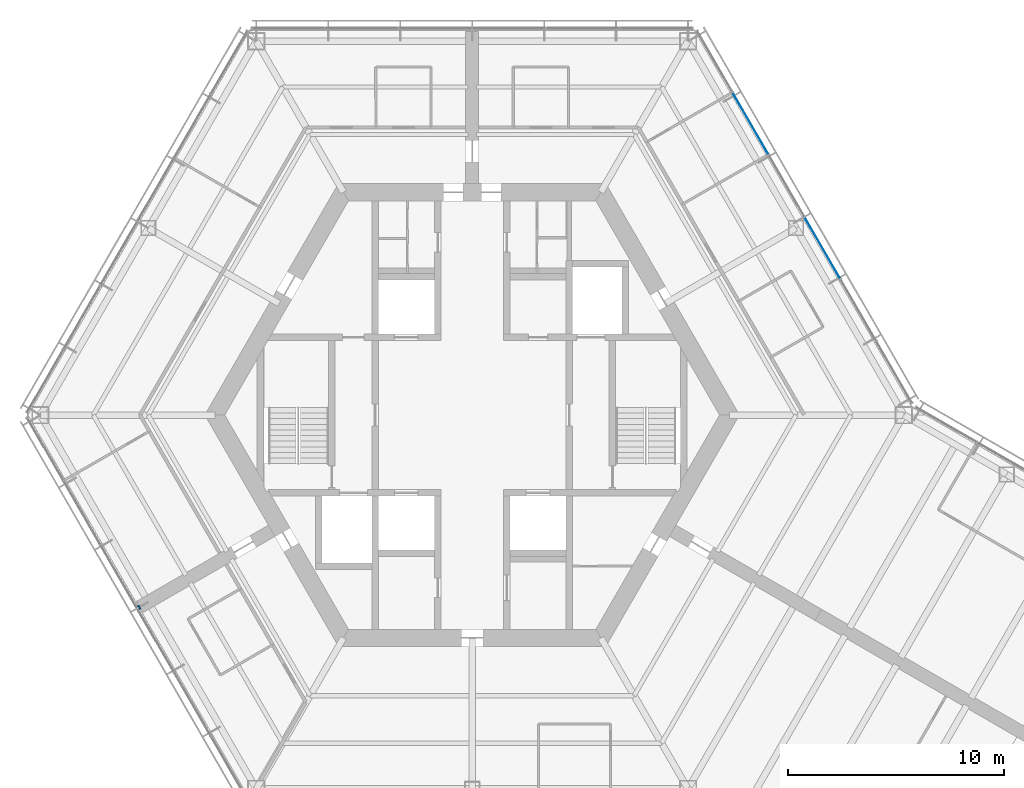
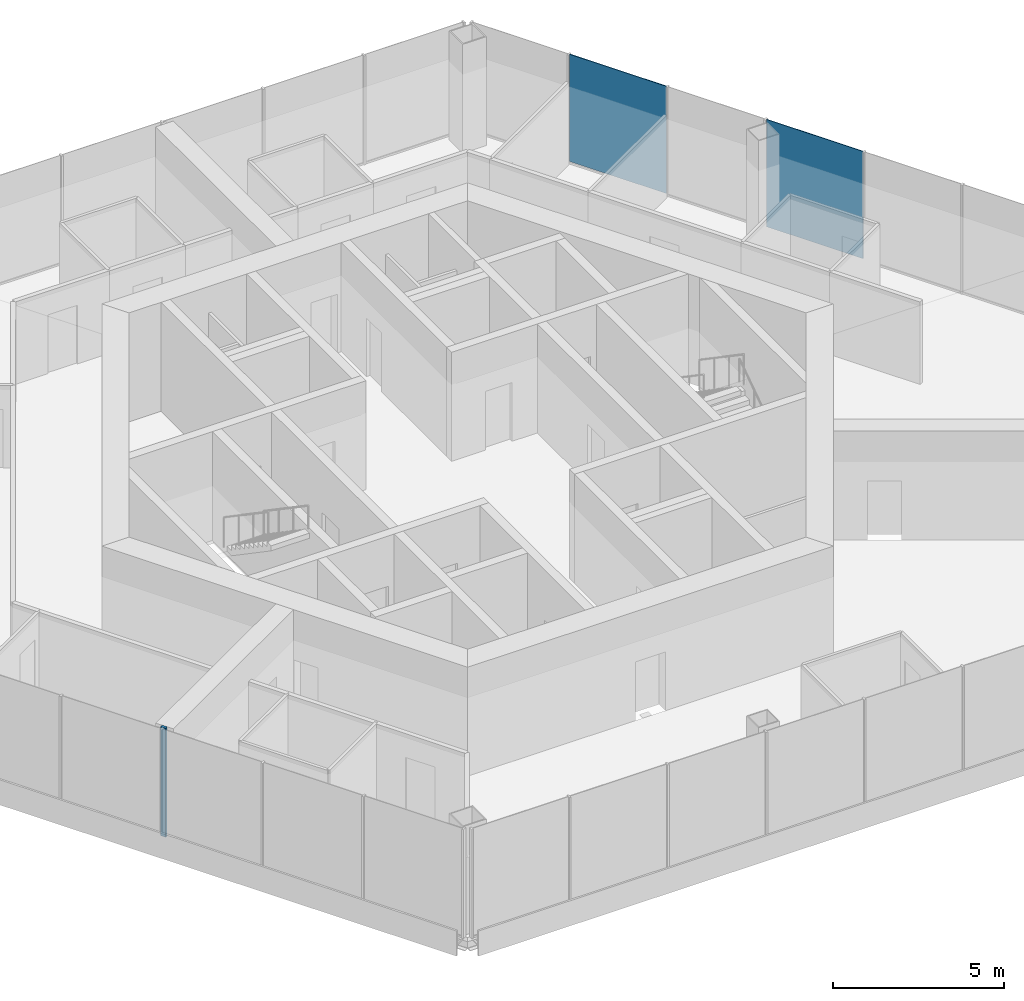
# One storey, part 9 of 15: 2 plates, 1 wall, 1 element without a shape of its own.
"""IFC4 building model written with IfcOpenShell, lengths in metres."""

from ifc_helpers import new_model, si_unit, direction, frame, frame_2d, origin, origin_2d, place, context, subcontext, project, spatial, rectangle, extrude, material, layer, layer_set, type_object, element, aggregate, save


model = new_model("IFC4")

# Units and contexts
model_context = context("Model", 3, precision=1e-05, world=origin(), true_north=direction((0.0, 1.0)))
body_context = subcontext(model_context, "Body", "Model", "MODEL_VIEW")
ifc_project = project(units=[si_unit("LENGTHUNIT", "METRE"), si_unit("AREAUNIT", "SQUARE_METRE"), si_unit("VOLUMEUNIT", "CUBIC_METRE"), si_unit("PLANEANGLEUNIT", "RADIAN"), si_unit("MASSUNIT", "GRAM", prefix="KILO")], contexts=[model_context])

# Site, building, storey
site_placement = place(None, origin())
site = spatial("IfcSite", under=ifc_project, at=site_placement, CompositionType="ELEMENT")
building_placement = place(site_placement, origin())
building = spatial("IfcBuilding", under=site, at=building_placement, Name="Kasaneha Research Tower", CompositionType="ELEMENT")
storey_placement = place(building_placement, frame((0.0, 0.0, 244.0)))
storey = spatial("IfcBuildingStorey", under=building, at=storey_placement, Name="L61", CompositionType="ELEMENT", Elevation=244.0)

# Curtain wall, plates
ifc_material_1 = material(Name="Glass and aluminium", Category="aluminium")
curtain_wall_type = type_object("IfcCurtainWallType", Name="High-rise office curtain wall", PredefinedType="USERDEFINED", material=ifc_material_1)
curtain_wall_placement = place(storey_placement, origin())
curtain_wall = element("IfcCurtainWall", 1, at=curtain_wall_placement, inside=storey, type_object=curtain_wall_type, Name="CW-O3 L61 run 01a", ObjectType="UNITISED CURTAIN WALL", PredefinedType="USERDEFINED")
ifc_material_2 = material(Name="Laminated double glazing", Category="glass")
ifc_layer_1 = layer(ifc_material_2, 0.02392578125)
ifc_layer_set_1 = layer_set([ifc_layer_1], Name="CW-O3 glazed panel")
plate_type = type_object("IfcPlateType", Name="CW-O3 glazed panel", PredefinedType="CURTAIN_PANEL", material=ifc_layer_set_1)
plate_1_placement = place(storey_placement, frame((16.2255859375, 7.737548828125, 0.06005859375), z_axis=(0.0, 0.0, 1.0), x_axis=(-0.499999979232, 0.866025415775, 0.0)))
plate_1 = element("IfcPlate", 2, at=plate_1_placement, type_object=plate_type, Name="CW-O3 panel 3", PredefinedType="CURTAIN_PANEL", context=body_context, shape_type="SweptSolid", body=[
    extrude(rectangle(XDim=3.27099609375, YDim=0.02392578125, at=origin_2d()), origin(), (0.0, 0.0, 1.0), 3.840087890625),
])
plate_2_placement = place(storey_placement, frame((12.89453125, 13.5068359375, 0.06005859375), z_axis=(0.0, 0.0, 1.0), x_axis=(-0.499999979232, 0.866025415775, 0.0)))
plate_2 = element("IfcPlate", 3, at=plate_2_placement, type_object=plate_type, Name="CW-O3 panel 5", PredefinedType="CURTAIN_PANEL", context=body_context, shape_type="SweptSolid", body=[
    extrude(rectangle(XDim=3.27099609375, YDim=0.02392578125, at=origin_2d()), origin(), (0.0, 0.0, 1.0), 3.840087890625),
])
aggregate(curtain_wall, [plate_1, plate_2])

# Wall
ifc_material_3 = material(Name="Gypsum board on steel studs, two layers each side", Category="steel")
ifc_layer_2 = layer(ifc_material_3, 0.175048828125)
ifc_layer_set_2 = layer_set([ifc_layer_2], Name="Tenancy fire partition 175")
wall_type = type_object("IfcWallType", Name="Tenancy fire partition 175", PredefinedType="PARTITIONING", material=ifc_layer_set_2)
wall_placement = place(storey_placement, frame((-15.3896484375, -8.88525390625, 0.0), z_axis=(0.0, 0.0, 1.0), x_axis=(-0.866472036435, -0.499225610396, 0.0)))
element("IfcWall", 4, at=wall_placement, inside=storey, type_object=wall_type, Name="Spine wall closer SW4-600 L61", PredefinedType="PARTITIONING", context=body_context, shape_type="SweptSolid", body=[
    extrude(rectangle(XDim=0.085205078125, YDim=0.175048828125, at=frame_2d((0.04248046875, 0.0))), origin(), (0.0, 0.0, 1.0), 3.89990234375),
])

save(model, "model.ifc")
